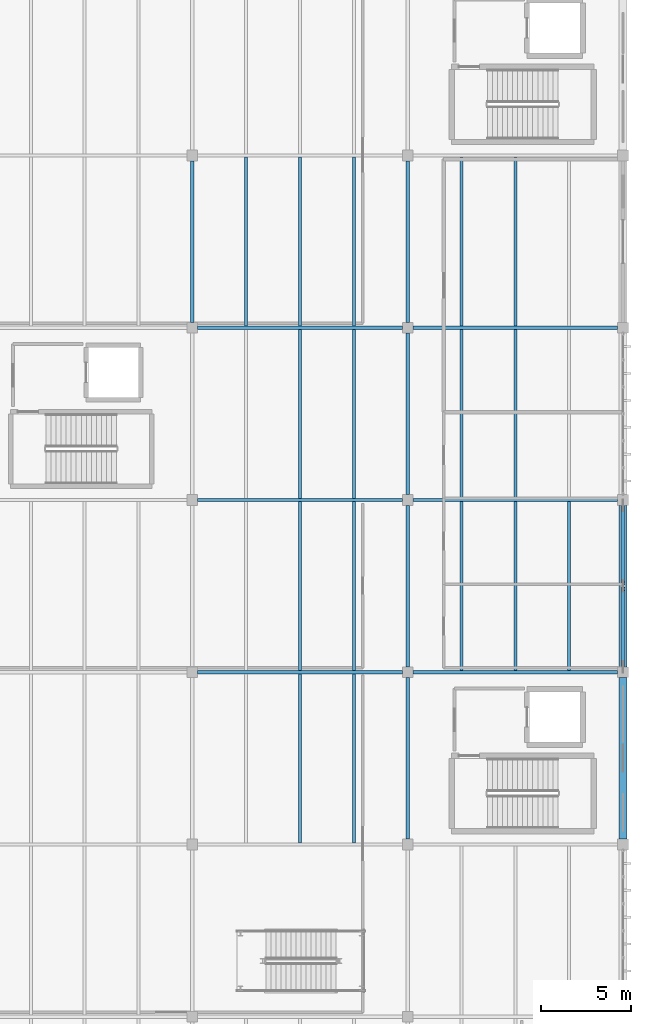
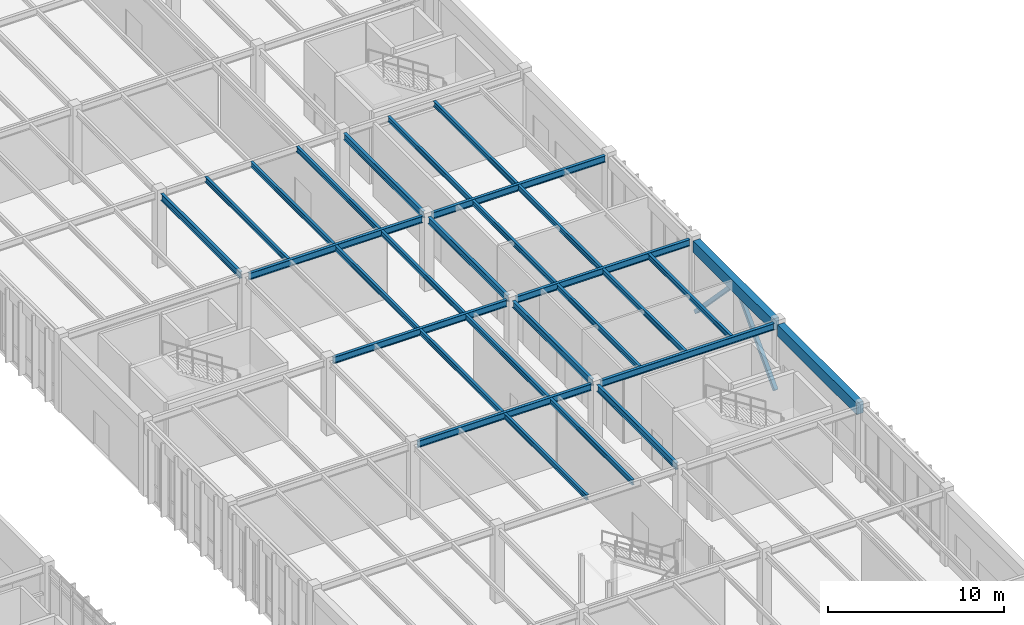
# One storey, part 107 of 188: 29 beams, 2 members.
"""IFC4 building model written with IfcOpenShell, lengths in metres."""

from ifc_helpers import new_model, si_unit, direction, frame, origin, origin_2d, place, context, subcontext, project, spatial, rectangle, hollow_rectangle, i_section, extrude, material, material_profile, profile_set, type_object, element, save


model = new_model("IFC4")

# Units and contexts
model_context = context("Model", 3, precision=1e-05, world=origin(), true_north=direction((0.0, 1.0)))
body_context = subcontext(model_context, "Body", "Model", "MODEL_VIEW")
ifc_project = project(units=[si_unit("LENGTHUNIT", "METRE"), si_unit("AREAUNIT", "SQUARE_METRE"), si_unit("VOLUMEUNIT", "CUBIC_METRE"), si_unit("PLANEANGLEUNIT", "RADIAN"), si_unit("MASSUNIT", "GRAM", prefix="KILO")], contexts=[model_context])

# Site, building, storey
site_placement = place(None, origin())
site = spatial("IfcSite", under=ifc_project, at=site_placement, CompositionType="ELEMENT")
building_placement = place(site_placement, origin())
building = spatial("IfcBuilding", under=site, at=building_placement, Name="Pandanus Reach Market Hall", CompositionType="ELEMENT")
storey_placement = place(building_placement, origin())
storey = spatial("IfcBuildingStorey", under=building, at=storey_placement, Name="L00", CompositionType="ELEMENT", Elevation=0.0)

# Beams
ifc_material_1 = material(Name="Concrete N40 (40 MPa)", Category="concrete")
ifc_material_profile_1 = material_profile(ifc_material_1, rectangle(XDim=0.449951171875, YDim=0.800048828125, at=origin_2d()), Name="RC450x800", Category="LoadBearing")
ifc_profile_set_1 = profile_set([ifc_material_profile_1], Name="Concrete N40 (40 MPa)")
beam_type_1 = type_object("IfcBeamType", Name="BM-RC450-E", PredefinedType="SPANDREL", material=ifc_profile_set_1)
beam_1_placement = place(storey_placement, frame((180.0, 29.097900390625, 4.72509765625), z_axis=(0.0, 1.0, 0.0), x_axis=(-1.0, 0.0, 0.0)))
element("IfcBeam", 1, at=beam_1_placement, inside=storey, type_object=beam_type_1, Name="Framing beam BM-RC450-E L00.221", PredefinedType="SPANDREL", context=body_context, shape_type="SweptSolid", body=[
    extrude(rectangle(XDim=0.449951171875, YDim=0.800048828125, at=origin_2d()), origin(), (0.0, 0.0, 1.0), 9.004150390625),
])
beam_2_placement = place(storey_placement, frame((180.0, 38.697998046875, 4.72509765625), z_axis=(0.0, 1.0, 0.0), x_axis=(-1.0, 0.0, 0.0)))
element("IfcBeam", 2, at=beam_2_placement, inside=storey, type_object=beam_type_1, Name="Framing beam BM-RC450-E L00.222", PredefinedType="SPANDREL", context=body_context, shape_type="SweptSolid", body=[
    extrude(rectangle(XDim=0.449951171875, YDim=0.800048828125, at=origin_2d()), origin(), (0.0, 0.0, 1.0), 9.00390625),
])
ifc_material_2 = material(Name="Steel Grade 350 (350 MPa)", Category="steel")
ifc_material_profile_2 = material_profile(ifc_material_2, i_section(OverallWidth=0.19091796875, OverallDepth=0.4599609375, WebThickness=0.010009765625, FlangeThickness=0.01611328125, at=origin_2d()), Name="460UB82.1", Category="LoadBearing")
ifc_profile_set_2 = profile_set([ifc_material_profile_2], Name="Steel Grade 350 (350 MPa)")
beam_type_2 = type_object("IfcBeamType", Name="BM-UB460H-I", PredefinedType="BEAM", material=ifc_profile_set_2)
for number, where, z_axis, x_axis, name in (
    (3, (156.298095703125, 38.39990234375, 4.89453125), (1.0, 0.0, 0.0), (0.0, 1.0, 0.0), "Framing beam BM-UB460H-I L00.168"),
    (4, (168.298095703125, 38.39990234375, 4.89453125), (1.0, 0.0, 0.0), (0.0, 1.0, 0.0), "Framing beam BM-UB460H-I L00.169"),
    (5, (156.298095703125, 48.0, 4.89453125), (1.0, 0.0, 0.0), (0.0, 1.0, 0.0), "Framing beam BM-UB460H-I L00.171"),
    (6, (168.298095703125, 48.0, 4.89453125), (1.0, 0.0, 0.0), (0.0, 1.0, 0.0), "Framing beam BM-UB460H-I L00.172"),
    (7, (156.298095703125, 57.60009765625, 4.89453125), (1.0, 0.0, 0.0), (0.0, 1.0, 0.0), "Framing beam BM-UB460H-I L00.174"),
    (8, (168.298095703125, 57.60009765625, 4.89453125), (1.0, 0.0, 0.0), (0.0, 1.0, 0.0), "Framing beam BM-UB460H-I L00.175"),
):
    element("IfcBeam", number, at=place(storey_placement, frame(where, z_axis=z_axis, x_axis=x_axis)), inside=storey, type_object=beam_type_2, Name=name, PredefinedType="BEAM", context=body_context, shape_type="SweptSolid", body=[
        extrude(i_section(OverallWidth=0.19091796875, OverallDepth=0.4599609375, WebThickness=0.010009765625, FlangeThickness=0.01611328125, at=origin_2d()), origin(), (0.0, 0.0, 1.0), 11.40380859375),
    ])
for number, where, z_axis, x_axis, name in (
    (9, (156.0, 57.89794921875, 4.89453125), (0.0, 1.0, 0.0), (-1.0, 0.0, 0.0), "Framing beam BM-UB460H-I L00.204"),
    (10, (168.0, 29.097900390625, 4.89453125), (0.0, 1.0, 0.0), (-1.0, 0.0, 0.0), "Framing beam BM-UB460H-I L00.211"),
):
    element("IfcBeam", number, at=place(storey_placement, frame(where, z_axis=z_axis, x_axis=x_axis)), inside=storey, type_object=beam_type_2, Name=name, PredefinedType="BEAM", context=body_context, shape_type="SweptSolid", body=[
        extrude(i_section(OverallWidth=0.19091796875, OverallDepth=0.4599609375, WebThickness=0.010009765625, FlangeThickness=0.01611328125, at=origin_2d()), origin(), (0.0, 0.0, 1.0), 9.004150390625),
    ])
for number, where, z_axis, x_axis, name in (
    (11, (168.0, 38.697998046875, 4.89453125), (0.0, 1.0, 0.0), (-1.0, 0.0, 0.0), "Framing beam BM-UB460H-I L00.212"),
    (12, (168.0, 48.298095703125, 4.89453125), (0.0, 1.0, 0.0), (-1.0, 0.0, 0.0), "Framing beam BM-UB460H-I L00.213"),
):
    element("IfcBeam", number, at=place(storey_placement, frame(where, z_axis=z_axis, x_axis=x_axis)), inside=storey, type_object=beam_type_2, Name=name, PredefinedType="BEAM", context=body_context, shape_type="SweptSolid", body=[
        extrude(i_section(OverallWidth=0.19091796875, OverallDepth=0.4599609375, WebThickness=0.010009765625, FlangeThickness=0.01611328125, at=origin_2d()), origin(), (0.0, 0.0, 1.0), 9.00390625),
    ])
beam_3_placement = place(storey_placement, frame((168.0, 57.89794921875, 4.89453125), z_axis=(0.0, 1.0, 0.0), x_axis=(-1.0, 0.0, 0.0)))
element("IfcBeam", 13, at=beam_3_placement, inside=storey, type_object=beam_type_2, Name="Framing beam BM-UB460H-I L00.214", PredefinedType="BEAM", context=body_context, shape_type="SweptSolid", body=[
    extrude(i_section(OverallWidth=0.19091796875, OverallDepth=0.4599609375, WebThickness=0.010009765625, FlangeThickness=0.01611328125, at=origin_2d()), origin(), (0.0, 0.0, 1.0), 9.004150390625),
])

# Members
ifc_material_profile_3 = material_profile(ifc_material_2, hollow_rectangle(XDim=0.25, YDim=0.25, WallThickness=0.010009765625, at=origin_2d()), Name="250x250x10.0SHS", Category="LoadBearing")
ifc_profile_set_3 = profile_set([ifc_material_profile_3], Name="Steel Grade 350 (350 MPa)")
member_type = type_object("IfcMemberType", Name="BR-SHS250-E", PredefinedType="BRACE", material=ifc_profile_set_3)
for number, where, z_axis, x_axis, name in (
    (14, (180.0, 38.68994140625, 0.14990234375), (0.0, 0.691875912471, 0.722016427612), (-1.0, 0.0, 0.0), "Chevron brace BR-SHS250-E 12A"),
    (15, (180.0, 47.7099609375, 0.14990234375), (0.0, -0.691855715665, 0.722035780762), (1.0, 0.0, 0.0), "Chevron brace BR-SHS250-E 12B"),
):
    element("IfcMember", number, at=place(storey_placement, frame(where, z_axis=z_axis, x_axis=x_axis)), inside=storey, type_object=member_type, Name=name, PredefinedType="BRACE", context=body_context, shape_type="SweptSolid", body=[
        extrude(hollow_rectangle(XDim=0.25, YDim=0.25, WallThickness=0.010009765625, at=origin_2d()), origin(), (0.0, 0.0, 1.0), 6.3017578125),
    ])

# Beams
ifc_material_profile_4 = material_profile(ifc_material_2, i_section(OverallWidth=0.172119140625, OverallDepth=0.35888671875, WebThickness=0.008056640625, FlangeThickness=0.012939453125, at=origin_2d()), Name="360UB56.7", Category="LoadBearing")
ifc_profile_set_4 = profile_set([ifc_material_profile_4], Name="Steel Grade 350 (350 MPa)")
beam_type_3 = type_object("IfcBeamType", Name="JS-UB360H-I", PredefinedType="JOIST", material=ifc_profile_set_4)
for number, where, z_axis, x_axis, name in (
    (16, (162.0, 28.8935546875, 4.945068359375), (0.0, 1.0, 0.0), (-1.0, 0.0, 0.0), "Secondary joist JS-UB360H-I L00.262"),
    (17, (165.0, 28.8935546875, 4.945068359375), (0.0, 1.0, 0.0), (-1.0, 0.0, 0.0), "Secondary joist JS-UB360H-I L00.263"),
):
    element("IfcBeam", number, at=place(storey_placement, frame(where, z_axis=z_axis, x_axis=x_axis)), inside=storey, type_object=beam_type_3, Name=name, PredefinedType="JOIST", context=body_context, shape_type="SweptSolid", body=[
        extrude(i_section(OverallWidth=0.172119140625, OverallDepth=0.35888671875, WebThickness=0.008056640625, FlangeThickness=0.012939453125, at=origin_2d()), origin(), (0.0, 0.0, 1.0), 9.412841796875),
    ])
for number, where, z_axis, x_axis, name in (
    (18, (162.0, 38.493408203125, 4.945068359375), (0.0, 1.0, 0.0), (-1.0, 0.0, 0.0), "Secondary joist JS-UB360H-I L00.265"),
    (19, (165.0, 38.493408203125, 4.945068359375), (0.0, 1.0, 0.0), (-1.0, 0.0, 0.0), "Secondary joist JS-UB360H-I L00.266"),
    (20, (162.0, 48.093505859375, 4.945068359375), (0.0, 1.0, 0.0), (-1.0, 0.0, 0.0), "Secondary joist JS-UB360H-I L00.268"),
    (21, (165.0, 48.093505859375, 4.945068359375), (0.0, 1.0, 0.0), (-1.0, 0.0, 0.0), "Secondary joist JS-UB360H-I L00.269"),
):
    element("IfcBeam", number, at=place(storey_placement, frame(where, z_axis=z_axis, x_axis=x_axis)), inside=storey, type_object=beam_type_3, Name=name, PredefinedType="JOIST", context=body_context, shape_type="SweptSolid", body=[
        extrude(i_section(OverallWidth=0.172119140625, OverallDepth=0.35888671875, WebThickness=0.008056640625, FlangeThickness=0.012939453125, at=origin_2d()), origin(), (0.0, 0.0, 1.0), 9.4130859375),
    ])
for number, where, z_axis, x_axis, name in (
    (22, (159.0, 57.693603515625, 4.945068359375), (0.0, 1.0, 0.0), (-1.0, 0.0, 0.0), "Secondary joist JS-UB360H-I L00.270"),
    (23, (162.0, 57.693603515625, 4.945068359375), (0.0, 1.0, 0.0), (-1.0, 0.0, 0.0), "Secondary joist JS-UB360H-I L00.271"),
    (24, (165.0, 57.693603515625, 4.945068359375), (0.0, 1.0, 0.0), (-1.0, 0.0, 0.0), "Secondary joist JS-UB360H-I L00.272"),
):
    element("IfcBeam", number, at=place(storey_placement, frame(where, z_axis=z_axis, x_axis=x_axis)), inside=storey, type_object=beam_type_3, Name=name, PredefinedType="JOIST", context=body_context, shape_type="SweptSolid", body=[
        extrude(i_section(OverallWidth=0.172119140625, OverallDepth=0.35888671875, WebThickness=0.008056640625, FlangeThickness=0.012939453125, at=origin_2d()), origin(), (0.0, 0.0, 1.0), 9.412841796875),
    ])
for number, where, z_axis, x_axis, name in (
    (25, (171.0, 38.493408203125, 4.945068359375), (0.0, 1.0, 0.0), (-1.0, 0.0, 0.0), "Secondary joist JS-UB360H-I L00.291"),
    (26, (174.0, 38.493408203125, 4.945068359375), (0.0, 1.0, 0.0), (-1.0, 0.0, 0.0), "Secondary joist JS-UB360H-I L00.292"),
    (27, (177.0, 38.493408203125, 4.945068359375), (0.0, 1.0, 0.0), (-1.0, 0.0, 0.0), "Secondary joist JS-UB360H-I L00.293"),
    (28, (171.0, 48.093505859375, 4.945068359375), (0.0, 1.0, 0.0), (-1.0, 0.0, 0.0), "Secondary joist JS-UB360H-I L00.294"),
    (29, (174.0, 48.093505859375, 4.945068359375), (0.0, 1.0, 0.0), (-1.0, 0.0, 0.0), "Secondary joist JS-UB360H-I L00.295"),
):
    element("IfcBeam", number, at=place(storey_placement, frame(where, z_axis=z_axis, x_axis=x_axis)), inside=storey, type_object=beam_type_3, Name=name, PredefinedType="JOIST", context=body_context, shape_type="SweptSolid", body=[
        extrude(i_section(OverallWidth=0.172119140625, OverallDepth=0.35888671875, WebThickness=0.008056640625, FlangeThickness=0.012939453125, at=origin_2d()), origin(), (0.0, 0.0, 1.0), 9.4130859375),
    ])
for number, where, z_axis, x_axis, name in (
    (30, (171.0, 57.693603515625, 4.945068359375), (0.0, 1.0, 0.0), (-1.0, 0.0, 0.0), "Secondary joist JS-UB360H-I L00.297"),
    (31, (174.0, 57.693603515625, 4.945068359375), (0.0, 1.0, 0.0), (-1.0, 0.0, 0.0), "Secondary joist JS-UB360H-I L00.298"),
):
    element("IfcBeam", number, at=place(storey_placement, frame(where, z_axis=z_axis, x_axis=x_axis)), inside=storey, type_object=beam_type_3, Name=name, PredefinedType="JOIST", context=body_context, shape_type="SweptSolid", body=[
        extrude(i_section(OverallWidth=0.172119140625, OverallDepth=0.35888671875, WebThickness=0.008056640625, FlangeThickness=0.012939453125, at=origin_2d()), origin(), (0.0, 0.0, 1.0), 9.412841796875),
    ])

save(model, "model.ifc")
